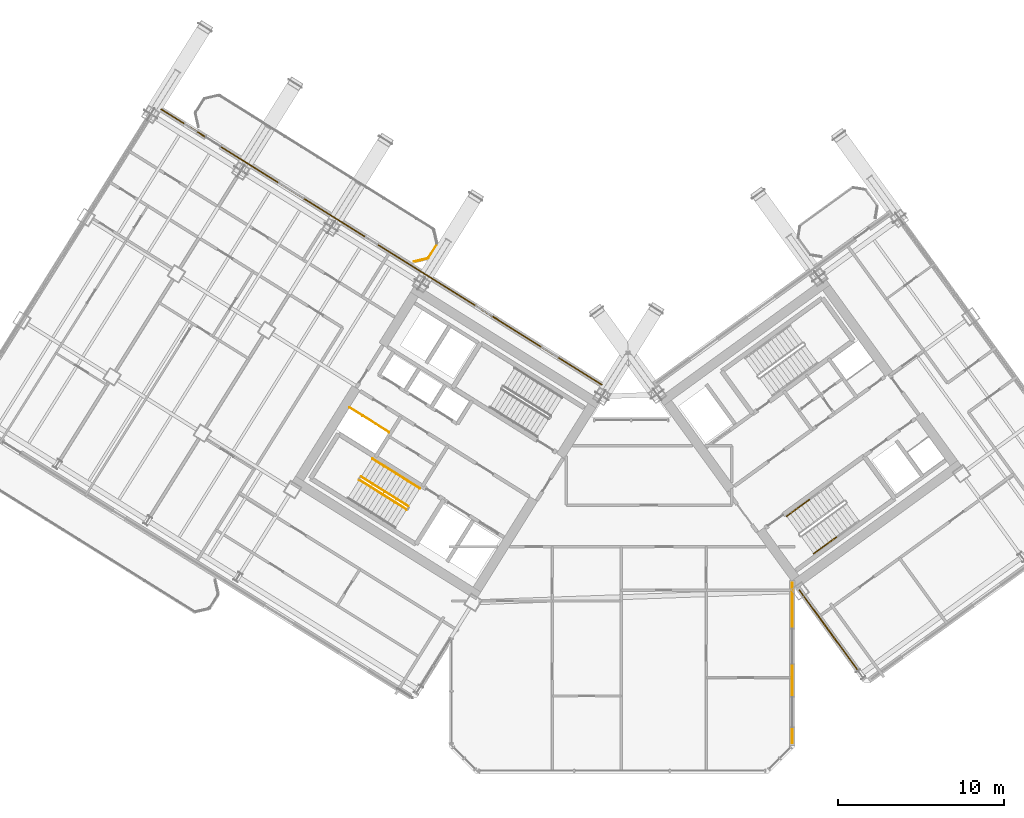
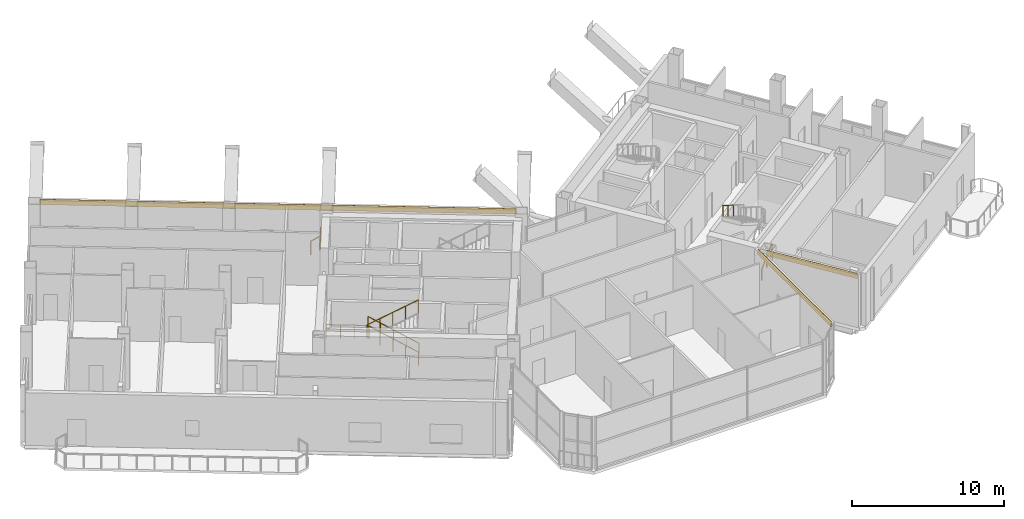
# One storey, part 31 of 34: 9 railings, 3 coverings.
"""IFC4 building model written with IfcOpenShell, lengths in metres."""

from ifc_helpers import new_model, si_unit, direction, frame, origin, origin_2d, place, context, subcontext, project, spatial, rectangle, extrude, source, transform, mapped, material, layer, layer_set, type_object, element, save


model = new_model("IFC4")

# Units and contexts
model_context = context("Model", 3, precision=1e-05, world=origin(), true_north=direction((0.0, 1.0)))
body_context = subcontext(model_context, "Body", "Model", "MODEL_VIEW")
ifc_project = project(units=[si_unit("LENGTHUNIT", "METRE"), si_unit("AREAUNIT", "SQUARE_METRE"), si_unit("VOLUMEUNIT", "CUBIC_METRE"), si_unit("PLANEANGLEUNIT", "RADIAN"), si_unit("MASSUNIT", "GRAM", prefix="KILO")], contexts=[model_context])

# Site, building, storey
site_placement = place(None, origin())
site = spatial("IfcSite", under=ifc_project, at=site_placement, CompositionType="ELEMENT")
building_placement = place(site_placement, origin())
building = spatial("IfcBuilding", under=site, at=building_placement, Name="Tlacorven Tower", CompositionType="ELEMENT")
storey_placement = place(building_placement, frame((0.0, 0.0, 174.89990234375)))
storey = spatial("IfcBuildingStorey", under=building, at=storey_placement, Name="L44", CompositionType="ELEMENT", Elevation=174.89990234375)

# Railings
ifc_material_1 = material(Name="Aluminium and painted steel balustrade", Category="steel")
railing_type_1 = type_object("IfcRailingType", Name="RL-GRD-1100", PredefinedType="GUARDRAIL", material=ifc_material_1)
shared_shape_1 = source(origin(), body_context, "Body", "SweptSolid", [
    extrude(rectangle(XDim=0.048095703125, YDim=0.048095703125, at=origin_2d()), frame((0.0, 0.0, 1.076171875), z_axis=(-0.848091358275, 0.529850024081, 0.0), x_axis=(-0.529850024081, -0.848091358275, 0.0)), (0.0, 0.0, 1.0), 2.800048828125),
    extrude(rectangle(XDim=0.0419921875, YDim=0.0419921875, at=origin_2d()), origin(), (0.0, 0.0, 1.0), 1.052001953125),
    extrude(rectangle(XDim=0.0419921875, YDim=0.0419921875, at=origin_2d()), frame((-0.79150390625, 0.49462890625, 0.0)), (0.0, 0.0, 1.0), 1.052001953125),
    extrude(rectangle(XDim=0.0419921875, YDim=0.0419921875, at=origin_2d()), frame((-1.583251953125, 0.989013671875, 0.0)), (0.0, 0.0, 1.0), 1.052001953125),
    extrude(rectangle(XDim=0.0419921875, YDim=0.0419921875, at=origin_2d()), frame((-2.374755859375, 1.483642578125, 0.0)), (0.0, 0.0, 1.0), 1.052001953125),
])
railing_1_placement = place(storey_placement, frame((27.9912109375, 22.32080078125, 0.0)))
element("IfcRailing", 1, at=railing_1_placement, inside=storey, type_object=railing_type_1, Name="L44 Electrical Riser W Shaft Guard 1", PredefinedType="GUARDRAIL", context=body_context, shape_type="MappedRepresentation", body=[
    mapped(shared_shape_1, transform((0.0, 0.0, 0.0), scale=1.0)),
])
railing_type_2 = type_object("IfcRailingType", Name="RL-BAL-1100", PredefinedType="BALUSTRADE", material=ifc_material_1)
shared_shape_2 = source(origin(), body_context, "Body", "SweptSolid", [
    extrude(rectangle(XDim=0.048095703125, YDim=0.048095703125, at=origin_2d()), frame((0.0, 0.0, 1.076171875), z_axis=(-0.52987865805, -0.848073468364, 0.0), x_axis=(0.848073468364, -0.52987865805, 0.0)), (0.0, 0.0, 1.0), 0.912353515625),
    extrude(rectangle(XDim=0.0419921875, YDim=0.0419921875, at=origin_2d()), origin(), (0.0, 0.0, 1.0), 1.052001953125),
    extrude(rectangle(XDim=0.0419921875, YDim=0.0419921875, at=origin_2d()), frame((-0.4833984375, -0.773681640625, 0.0)), (0.0, 0.0, 1.0), 1.052001953125),
])
railing_2_placement = place(storey_placement, frame((30.845947265625, 33.588623046875, 0.0)))
element("IfcRailing", 2, at=railing_2_placement, inside=storey, type_object=railing_type_2, Name="BAL-L44-W-IN Guard Railing 2", PredefinedType="BALUSTRADE", context=body_context, shape_type="MappedRepresentation", body=[
    mapped(shared_shape_2, transform((0.0, 0.0, 0.0), scale=1.0)),
])
shared_shape_3 = source(origin(), body_context, "Body", "SweptSolid", [
    extrude(rectangle(XDim=0.048095703125, YDim=0.048095703125, at=origin_2d()), frame((0.0, 0.0, 1.076171875), z_axis=(-0.974345290916, -0.225058334816, 0.0), x_axis=(0.225058334816, -0.974345290916, 0.0)), (0.0, 0.0, 1.0), 0.80712890625),
    extrude(rectangle(XDim=0.0419921875, YDim=0.0419921875, at=origin_2d()), origin(), (0.0, 0.0, 1.0), 1.052001953125),
    extrude(rectangle(XDim=0.0419921875, YDim=0.0419921875, at=origin_2d()), frame((-0.786376953125, -0.181640625, 0.0)), (0.0, 0.0, 1.0), 1.052001953125),
])
railing_3_placement = place(storey_placement, frame((30.287353515625, 32.761474609375, 0.0)))
element("IfcRailing", 3, at=railing_3_placement, inside=storey, type_object=railing_type_2, Name="BAL-L44-W-IN Guard Railing 3", PredefinedType="BALUSTRADE", context=body_context, shape_type="MappedRepresentation", body=[
    mapped(shared_shape_3, transform((0.0, 0.0, 0.0), scale=1.0)),
])

# Coverings
ifc_material_2 = material(Name="Precast concrete C45/55", Category="concrete")
ifc_layer = layer(ifc_material_2, 0.06005859375)
ifc_layer_set = layer_set([ifc_layer], Name="Precast concrete C45/55")
covering_type = type_object("IfcCoveringType", Name="CV-CLD-TERC", PredefinedType="CLADDING", material=ifc_layer_set)
shared_shape_4 = source(origin(), body_context, "Body", "SweptSolid", [
    extrude(rectangle(XDim=31.287353515625, YDim=0.06005859375, at=origin_2d()), origin(), (0.0, 0.0, 1.0), 0.419921875),
])
covering_1_placement = place(storey_placement, frame((27.5322265625, 33.455810546875, 3.800048828125), z_axis=(0.0, 0.0, 1.0), x_axis=(0.84804812172, -0.529919223323, 0.0)))
element("IfcCovering", 4, at=covering_1_placement, inside=storey, type_object=covering_type, Name="L44 Masonry-Frame Spandrel Cladding 3", PredefinedType="CLADDING", context=body_context, shape_type="MappedRepresentation", body=[
    mapped(shared_shape_4, transform((0.0, 0.0, 0.0), scale=1.0)),
])
shared_shape_5 = source(origin(), body_context, "Body", "SweptSolid", [
    extrude(rectangle(XDim=9.647705078125, YDim=0.06005859375, at=origin_2d()), origin(), (0.0, 0.0, 1.0), 0.419921875),
])
covering_2_placement = place(storey_placement, frame((52.239990234375, 8.440185546875, 3.800048828125), z_axis=(0.0, 0.0, 1.0), x_axis=(0.0, -1.0, 0.0)))
element("IfcCovering", 5, at=covering_2_placement, inside=storey, type_object=covering_type, Name="L44 Masonry-Frame Spandrel Cladding 8", PredefinedType="CLADDING", context=body_context, shape_type="MappedRepresentation", body=[
    mapped(shared_shape_5, transform((0.0, 0.0, 0.0), scale=1.0)),
])
shared_shape_6 = source(origin(), body_context, "Body", "SweptSolid", [
    extrude(rectangle(XDim=6.523681640625, YDim=0.06005859375, at=origin_2d()), origin(), (0.0, 0.0, 1.0), 0.419921875),
])
covering_3_placement = place(storey_placement, frame((54.57568359375, 10.19921875, 3.800048828125), z_axis=(0.0, 0.0, 1.0), x_axis=(-0.587785622053, 0.809016725728, 0.0)))
element("IfcCovering", 6, at=covering_3_placement, inside=storey, type_object=covering_type, Name="L44 Masonry-Frame Spandrel Cladding 7", PredefinedType="CLADDING", context=body_context, shape_type="MappedRepresentation", body=[
    mapped(shared_shape_6, transform((0.0, 0.0, 0.0), scale=1.0)),
])

# Railings
shared_shape_7 = source(origin(), body_context, "Body", "SweptSolid", [
    extrude(rectangle(XDim=0.048095703125, YDim=0.048095703125, at=origin_2d()), frame((0.0, 0.0, 1.076171875), z_axis=(-0.721354668439, 0.45076168254, 0.525795918465), x_axis=(-0.529927092104, -0.84804320471, 0.0)), (0.0, 0.0, 1.0), 3.949951171875),
    extrude(rectangle(XDim=0.0419921875, YDim=0.0419921875, at=origin_2d()), origin(), (0.0, 0.0, 1.0), 1.052001953125),
    extrude(rectangle(XDim=0.0419921875, YDim=0.0419921875, at=origin_2d()), frame((-0.71240234375, 0.445068359375, 0.519287109375)), (0.0, 0.0, 1.0), 1.052001953125),
    extrude(rectangle(XDim=0.0419921875, YDim=0.0419921875, at=origin_2d()), frame((-1.4248046875, 0.89013671875, 1.03857421875)), (0.0, 0.0, 1.0), 1.052001953125),
    extrude(rectangle(XDim=0.0419921875, YDim=0.0419921875, at=origin_2d()), frame((-2.136962890625, 1.33544921875, 1.5576171875)), (0.0, 0.0, 1.0), 1.052001953125),
    extrude(rectangle(XDim=0.0419921875, YDim=0.0419921875, at=origin_2d()), frame((-2.849365234375, 1.780517578125, 2.076904296875)), (0.0, 0.0, 1.0), 1.052001953125),
])
railing_4_placement = place(storey_placement, frame((29.16064453125, 17.851806640625, 0.173095703125)))
element("IfcRailing", 7, at=railing_4_placement, inside=storey, type_object=railing_type_1, Name="L44 ST-W1 stair guard 1", PredefinedType="GUARDRAIL", context=body_context, shape_type="MappedRepresentation", body=[
    mapped(shared_shape_7, transform((0.0, 0.0, 0.0), scale=1.0)),
])
shared_shape_8 = source(origin(), body_context, "Body", "SweptSolid", [
    extrude(rectangle(XDim=0.048095703125, YDim=0.048095703125, at=origin_2d()), frame((0.0, 0.0, 1.076171875), z_axis=(0.721384312238, -0.450741585774, 0.525772476372), x_axis=(0.52989443915, 0.848063608085, 0.0)), (0.0, 0.0, 1.0), 3.9501953125),
    extrude(rectangle(XDim=0.0419921875, YDim=0.0419921875, at=origin_2d()), origin(), (0.0, 0.0, 1.0), 1.052001953125),
    extrude(rectangle(XDim=0.0419921875, YDim=0.0419921875, at=origin_2d()), frame((0.71240234375, -0.445068359375, 0.519287109375)), (0.0, 0.0, 1.0), 1.052001953125),
    extrude(rectangle(XDim=0.0419921875, YDim=0.0419921875, at=origin_2d()), frame((1.4248046875, -0.89013671875, 1.03857421875)), (0.0, 0.0, 1.0), 1.052001953125),
    extrude(rectangle(XDim=0.0419921875, YDim=0.0419921875, at=origin_2d()), frame((2.13720703125, -1.33544921875, 1.5576171875)), (0.0, 0.0, 1.0), 1.052001953125),
    extrude(rectangle(XDim=0.0419921875, YDim=0.0419921875, at=origin_2d()), frame((2.849609375, -1.780517578125, 2.076904296875)), (0.0, 0.0, 1.0), 1.052001953125),
])
railing_5_placement = place(storey_placement, frame((26.194580078125, 19.44580078125, 2.423095703125)))
element("IfcRailing", 8, at=railing_5_placement, inside=storey, type_object=railing_type_1, Name="L44 ST-W1 stair guard 3", PredefinedType="GUARDRAIL", context=body_context, shape_type="MappedRepresentation", body=[
    mapped(shared_shape_8, transform((0.0, 0.0, 0.0), scale=1.0)),
])
railing_type_3 = type_object("IfcRailingType", Name="RL-HND-0900", PredefinedType="HANDRAIL", material=ifc_material_1)
shared_shape_9 = source(origin(), body_context, "Body", "SweptSolid", [
    extrude(rectangle(XDim=0.048095703125, YDim=0.048095703125, at=origin_2d()), frame((0.0, 0.0, 0.8759765625), z_axis=(-0.721340775611, 0.4507761838, 0.52580254617), x_axis=(-0.529946692594, -0.848030956397, 0.0)), (0.0, 0.0, 1.0), 1.97509765625),
    extrude(rectangle(XDim=0.0419921875, YDim=0.0419921875, at=origin_2d()), origin(), (0.0, 0.0, 1.0), 0.851806640625),
    extrude(rectangle(XDim=0.0419921875, YDim=0.0419921875, at=origin_2d()), frame((-0.71240234375, 0.4453125, 0.519287109375)), (0.0, 0.0, 1.0), 0.851806640625),
    extrude(rectangle(XDim=0.0419921875, YDim=0.0419921875, at=origin_2d()), frame((-1.4248046875, 0.890380859375, 1.03857421875)), (0.0, 0.0, 1.0), 0.851806640625),
])
railing_6_placement = place(storey_placement, frame((29.839111328125, 18.937255859375, 0.173095703125)))
element("IfcRailing", 9, at=railing_6_placement, inside=storey, type_object=railing_type_3, Name="L44 ST-W1 stair handrail 1", PredefinedType="HANDRAIL", context=body_context, shape_type="MappedRepresentation", body=[
    mapped(shared_shape_9, transform((0.0, 0.0, 0.0), scale=1.0)),
])
shared_shape_10 = source(origin(), body_context, "Body", "SweptSolid", [
    extrude(rectangle(XDim=0.048095703125, YDim=0.048095703125, at=origin_2d()), frame((0.0, 0.0, 0.8759765625), z_axis=(-0.721427851237, 0.45070698177, 0.525742400842), x_axis=(-0.52984217967, -0.848096259066, 0.0)), (0.0, 0.0, 1.0), 1.97509765625),
    extrude(rectangle(XDim=0.0419921875, YDim=0.0419921875, at=origin_2d()), origin(), (0.0, 0.0, 1.0), 0.851806640625),
    extrude(rectangle(XDim=0.0419921875, YDim=0.0419921875, at=origin_2d()), frame((-0.71240234375, 0.445068359375, 0.51904296875)), (0.0, 0.0, 1.0), 0.851806640625),
    extrude(rectangle(XDim=0.0419921875, YDim=0.0419921875, at=origin_2d()), frame((-1.4248046875, 0.89013671875, 1.038330078125)), (0.0, 0.0, 1.0), 0.851806640625),
])
railing_7_placement = place(storey_placement, frame((28.414306640625, 19.82763671875, 1.211669921875)))
element("IfcRailing", 10, at=railing_7_placement, inside=storey, type_object=railing_type_3, Name="L44 ST-W1 stair handrail 2", PredefinedType="HANDRAIL", context=body_context, shape_type="MappedRepresentation", body=[
    mapped(shared_shape_10, transform((0.0, 0.0, 0.0), scale=1.0)),
])
shared_shape_11 = source(origin(), body_context, "Body", "SweptSolid", [
    extrude(rectangle(XDim=0.048095703125, YDim=0.048095703125, at=origin_2d()), frame((0.0, 0.0, 0.8759765625), z_axis=(0.688123352181, 0.499992627909, 0.525826610414), x_axis=(-0.587817375869, 0.808993654256, 0.0)), (0.0, 0.0, 1.0), 1.97509765625),
    extrude(rectangle(XDim=0.0419921875, YDim=0.0419921875, at=origin_2d()), origin(), (0.0, 0.0, 1.0), 0.851806640625),
    extrude(rectangle(XDim=0.0419921875, YDim=0.0419921875, at=origin_2d()), frame((0.6796875, 0.49365234375, 0.519287109375)), (0.0, 0.0, 1.0), 0.851806640625),
    extrude(rectangle(XDim=0.0419921875, YDim=0.0419921875, at=origin_2d()), frame((1.359130859375, 0.987548828125, 1.03857421875)), (0.0, 0.0, 1.0), 0.851806640625),
])
railing_8_placement = place(storey_placement, frame((53.53369140625, 15.01904296875, 0.173095703125)))
element("IfcRailing", 11, at=railing_8_placement, inside=storey, type_object=railing_type_3, Name="L44 ST-E2 stair handrail 1", PredefinedType="HANDRAIL", context=body_context, shape_type="MappedRepresentation", body=[
    mapped(shared_shape_11, transform((0.0, 0.0, 0.0), scale=1.0)),
])
shared_shape_12 = source(origin(), body_context, "Body", "SweptSolid", [
    extrude(rectangle(XDim=0.048095703125, YDim=0.048095703125, at=origin_2d()), frame((0.0, 0.0, 0.8759765625), z_axis=(-0.688168076653, -0.500025124854, 0.525737170829), x_axis=(0.587817375869, -0.808993654256, 0.0)), (0.0, 0.0, 1.0), 1.97509765625),
    extrude(rectangle(XDim=0.0419921875, YDim=0.0419921875, at=origin_2d()), origin(), (0.0, 0.0, 1.0), 0.851806640625),
    extrude(rectangle(XDim=0.0419921875, YDim=0.0419921875, at=origin_2d()), frame((-0.6796875, -0.49365234375, 0.51904296875)), (0.0, 0.0, 1.0), 0.851806640625),
    extrude(rectangle(XDim=0.0419921875, YDim=0.0419921875, at=origin_2d()), frame((-1.359130859375, -0.987548828125, 1.038330078125)), (0.0, 0.0, 1.0), 0.851806640625),
])
railing_9_placement = place(storey_placement, frame((53.2587890625, 18.255615234375, 3.461669921875)))
element("IfcRailing", 12, at=railing_9_placement, inside=storey, type_object=railing_type_3, Name="L44 ST-E2 stair handrail 4", PredefinedType="HANDRAIL", context=body_context, shape_type="MappedRepresentation", body=[
    mapped(shared_shape_12, transform((0.0, 0.0, 0.0), scale=1.0)),
])

save(model, "model.ifc")
